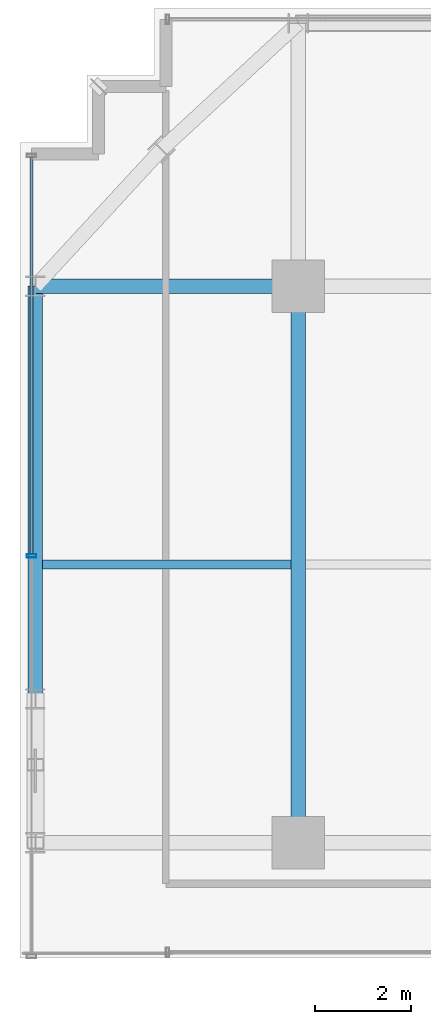
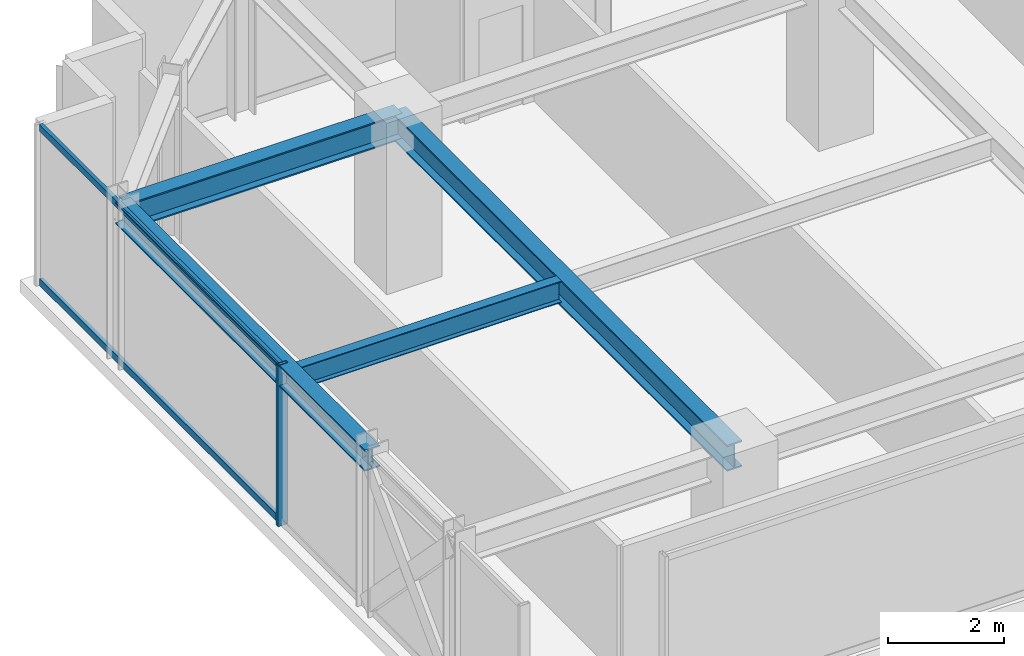
# One storey, part 20 of 41: 4 beams, 3 members, 1 element without a shape of its own.
"""IFC4 building model written with IfcOpenShell, lengths in metres."""

from ifc_helpers import new_model, si_unit, direction, frame, origin, origin_2d, place, context, subcontext, project, spatial, hollow_rectangle, i_section, extrude, source, transform, mapped, material, material_profile, profile_set, type_object, element, aggregate, save


model = new_model("IFC4")

# Units and contexts
model_context = context("Model", 3, precision=1e-05, world=origin(), true_north=direction((0.0, 1.0)))
body_context = subcontext(model_context, "Body", "Model", "MODEL_VIEW")
ifc_project = project(units=[si_unit("LENGTHUNIT", "METRE"), si_unit("AREAUNIT", "SQUARE_METRE"), si_unit("VOLUMEUNIT", "CUBIC_METRE"), si_unit("PLANEANGLEUNIT", "RADIAN"), si_unit("MASSUNIT", "GRAM", prefix="KILO")], contexts=[model_context])

# Site, building, storey
site_placement = place(None, origin())
site = spatial("IfcSite", under=ifc_project, at=site_placement, CompositionType="ELEMENT")
building_placement = place(site_placement, origin())
building = spatial("IfcBuilding", under=site, at=building_placement, Name="Nahalor Promenade Grand Hotel", CompositionType="ELEMENT")
storey_placement = place(building_placement, frame((0.0, 0.0, 159.949951171875)))
storey = spatial("IfcBuildingStorey", under=building, at=storey_placement, Name="L40", CompositionType="ELEMENT", Elevation=159.949951171875)

# Beams
ifc_material_1 = material(Name="Steel S355JR", Category="steel")
ifc_material_profile_1 = material_profile(ifc_material_1, i_section(OverallWidth=0.3, OverallDepth=0.55, WebThickness=0.015, FlangeThickness=0.029, at=origin_2d()), Name="HEB 550")
ifc_profile_set_1 = profile_set([ifc_material_profile_1], Name="Steel S355JR")
beam_type_1 = type_object("IfcBeamType", Name="Beam-Girder-HEB550", PredefinedType="BEAM", material=ifc_profile_set_1)
shared_shape_1 = source(origin(), body_context, "Body", "SweptSolid", [
    extrude(i_section(OverallWidth=0.3, OverallDepth=0.55, WebThickness=0.015, FlangeThickness=0.029, at=origin_2d()), origin(), (0.0, 0.0, 1.0), 11.60009765625),
])
beam_1_placement = place(storey_placement, frame((-17.0, 5.39990234375, 3.114990234375), z_axis=(0.0, 1.0, 0.0), x_axis=(-1.0, 0.0, 0.0)))
element("IfcBeam", 1, at=beam_1_placement, inside=storey, type_object=beam_type_1, Name="BM-L40-GY-0-3", PredefinedType="BEAM", context=body_context, shape_type="MappedRepresentation", body=[
    mapped(shared_shape_1, transform((0.0, 0.0, 0.0), scale=1.0)),
])
shared_shape_2 = source(origin(), body_context, "Body", "SweptSolid", [
    extrude(i_section(OverallWidth=0.3, OverallDepth=0.55, WebThickness=0.015, FlangeThickness=0.029, at=origin_2d()), origin(), (0.0, 0.0, 1.0), 5.47998046875),
])
beam_2_placement = place(storey_placement, frame((-22.47998046875, 17.0, 3.114990234375), z_axis=(1.0, 0.0, 0.0), x_axis=(0.0, 1.0, 0.0)))
element("IfcBeam", 2, at=beam_2_placement, inside=storey, type_object=beam_type_1, Name="BM-L40-GX-3-0", PredefinedType="BEAM", context=body_context, shape_type="MappedRepresentation", body=[
    mapped(shared_shape_2, transform((0.0, 0.0, 0.0), scale=1.0)),
])
ifc_material_profile_2 = material_profile(ifc_material_1, i_section(OverallWidth=0.19, OverallDepth=0.45, WebThickness=0.0094, FlangeThickness=0.0146, at=origin_2d()), Name="IPE 450")
ifc_profile_set_2 = profile_set([ifc_material_profile_2], Name="Steel S355JR")
beam_type_2 = type_object("IfcBeamType", Name="Beam-Joist-IPE450", PredefinedType="JOIST", material=ifc_profile_set_2)
shared_shape_3 = source(origin(), body_context, "Body", "SweptSolid", [
    extrude(i_section(OverallWidth=0.19, OverallDepth=0.45, WebThickness=0.0094, FlangeThickness=0.0146, at=origin_2d()), origin(), (0.0, 0.0, 1.0), 5.18017578125),
])
beam_3_placement = place(storey_placement, frame((-22.330078125, 11.199951171875, 3.1650390625), z_axis=(1.0, 0.0, 0.0), x_axis=(0.0, 1.0, 0.0)))
element("IfcBeam", 3, at=beam_3_placement, inside=storey, type_object=beam_type_2, Name="BM-L40-JSW-1-0", PredefinedType="JOIST", context=body_context, shape_type="MappedRepresentation", body=[
    mapped(shared_shape_3, transform((0.0, 0.0, 0.0), scale=1.0)),
])
ifc_material_profile_3 = material_profile(ifc_material_1, i_section(OverallWidth=0.3, OverallDepth=0.45, WebThickness=0.014, FlangeThickness=0.026, at=origin_2d()), Name="HEB 450")
ifc_profile_set_3 = profile_set([ifc_material_profile_3], Name="Steel S355JR")
beam_type_3 = type_object("IfcBeamType", Name="Beam-Spandrel-HEB450", PredefinedType="SPANDREL", material=ifc_profile_set_3)
shared_shape_4 = source(origin(), body_context, "Body", "SweptSolid", [
    extrude(i_section(OverallWidth=0.3, OverallDepth=0.45, WebThickness=0.014, FlangeThickness=0.026, at=origin_2d()), origin(), (0.0, 0.0, 1.0), 8.60009765625),
])
beam_4_placement = place(storey_placement, frame((-22.47998046875, 8.39990234375, 3.1650390625), z_axis=(0.0, 1.0, 0.0), x_axis=(-1.0, 0.0, 0.0)))
element("IfcBeam", 4, at=beam_4_placement, inside=storey, type_object=beam_type_3, Name="BM-L40-SP-W-4", PredefinedType="SPANDREL", context=body_context, shape_type="MappedRepresentation", body=[
    mapped(shared_shape_4, transform((0.0, 0.0, 0.0), scale=1.0)),
])

# Curtain wall, members
ifc_material_2 = material(Name="Anodised Bronze Aluminium EN AW-6063 T6", Category="aluminium")
curtain_wall_type = type_object("IfcCurtainWallType", Name="CW3 Elliptical-Void Collar Unitised Curtain Wall", PredefinedType="USERDEFINED", material=ifc_material_2)
curtain_wall_placement = place(storey_placement, origin())
curtain_wall = element("IfcCurtainWall", 5, at=curtain_wall_placement, inside=storey, type_object=curtain_wall_type, Name="L40 Curtain Wall CW-L40-W-2", ObjectType="UNITISED_CURTAIN_WALL", PredefinedType="USERDEFINED")
ifc_material_profile_4 = material_profile(ifc_material_2, hollow_rectangle(XDim=0.07, YDim=0.2, WallThickness=0.005, at=origin_2d()), Name="CWM 70x200x5")
ifc_profile_set_4 = profile_set([ifc_material_profile_4], Name="Anodised Bronze Aluminium EN AW-6063 T6")
member_type_1 = type_object("IfcMemberType", Name="CWM3 Void Collar Mullion 70x200", PredefinedType="MULLION", material=ifc_profile_set_4)
shared_shape_5 = source(origin(), body_context, "Body", "SweptSolid", [
    extrude(hollow_rectangle(XDim=0.07, YDim=0.2, WallThickness=0.005, at=origin_2d()), origin(), (0.0, 0.0, 1.0), 3.39013671875),
])
member_1_placement = place(storey_placement, frame((-22.56005859375, 11.37939453125, 0.0), z_axis=(0.0, 0.0, 1.0), x_axis=(0.0, 1.0, 0.0)))
member_1 = element("IfcMember", 6, at=member_1_placement, type_object=member_type_1, Name="CW-L40-W-2 Mullion 1", PredefinedType="MULLION", context=body_context, shape_type="MappedRepresentation", body=[
    mapped(shared_shape_5, transform((0.0, 0.0, 0.0), scale=1.0)),
])
ifc_material_profile_5 = material_profile(ifc_material_2, hollow_rectangle(XDim=0.07, YDim=0.14, WallThickness=0.004, at=origin_2d()), Name="CWT 70x140x4")
ifc_profile_set_5 = profile_set([ifc_material_profile_5], Name="Anodised Bronze Aluminium EN AW-6063 T6")
member_type_2 = type_object("IfcMemberType", Name="CWT3 Void Collar Transom 70x140", PredefinedType="USERDEFINED", material=ifc_profile_set_5)
shared_shape_6 = source(origin(), body_context, "Body", "SweptSolid", [
    extrude(hollow_rectangle(XDim=0.07, YDim=0.14, WallThickness=0.004, at=origin_2d()), origin(), (0.0, 0.0, 1.0), 8.275390625),
])
member_2_placement = place(storey_placement, frame((-22.56005859375, 11.41455078125, 0.070068359375), z_axis=(0.0, 1.0, 0.0), x_axis=(-1.0, 0.0, 0.0)))
member_2 = element("IfcMember", 7, at=member_2_placement, type_object=member_type_2, Name="CW-L40-W-2 Transom 1-0", ObjectType="TRANSOM", PredefinedType="USERDEFINED", context=body_context, shape_type="MappedRepresentation", body=[
    mapped(shared_shape_6, transform((0.0, 0.0, 0.0), scale=1.0)),
])
member_3_placement = place(storey_placement, frame((-22.56005859375, 11.41455078125, 3.320068359375), z_axis=(0.0, 1.0, 0.0), x_axis=(-1.0, 0.0, 0.0)))
member_3 = element("IfcMember", 8, at=member_3_placement, type_object=member_type_2, Name="CW-L40-W-2 Transom 1-1", ObjectType="TRANSOM", PredefinedType="USERDEFINED", context=body_context, shape_type="MappedRepresentation", body=[
    mapped(shared_shape_6, transform((0.0, 0.0, 0.0), scale=1.0)),
])
aggregate(curtain_wall, [member_1, member_2, member_3])

save(model, "model.ifc")
